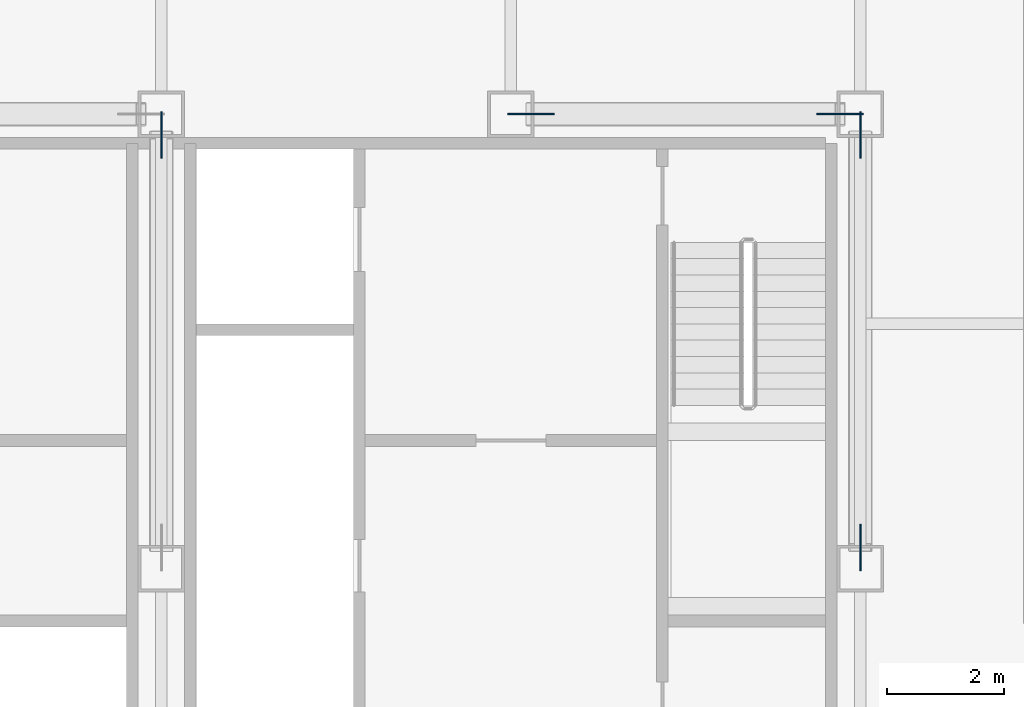
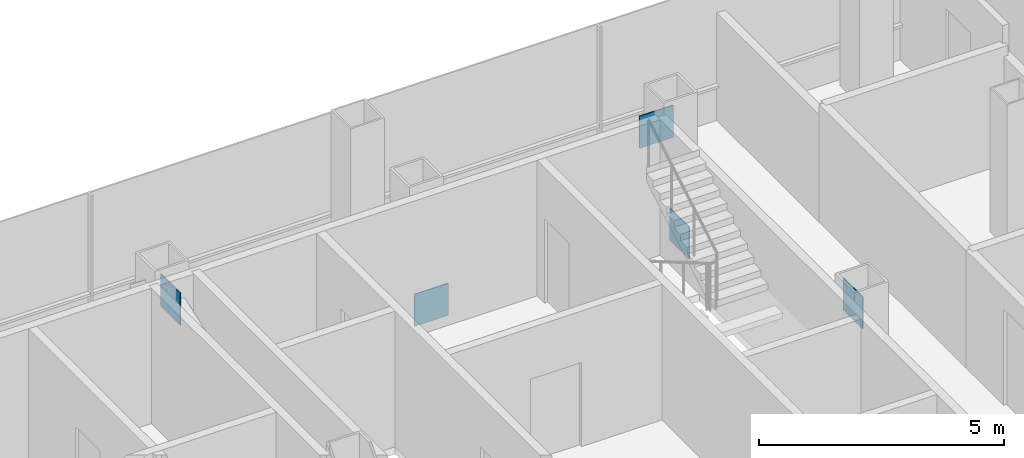
# One storey, part 24 of 26: 5 discrete accessories.
"""IFC4 building model written with IfcOpenShell, lengths in metres."""

from ifc_helpers import new_model, si_unit, direction, frame, origin, origin_2d, place, context, subcontext, project, spatial, rectangle, extrude, material, layer, layer_set, type_object, element, save


model = new_model("IFC4")

# Units and contexts
model_context = context("Model", 3, precision=1e-05, world=origin(), true_north=direction((0.0, 1.0)))
body_context = subcontext(model_context, "Body", "Model", "MODEL_VIEW")
ifc_project = project(units=[si_unit("LENGTHUNIT", "METRE"), si_unit("AREAUNIT", "SQUARE_METRE"), si_unit("VOLUMEUNIT", "CUBIC_METRE"), si_unit("PLANEANGLEUNIT", "RADIAN"), si_unit("MASSUNIT", "GRAM", prefix="KILO")], contexts=[model_context])

# Site, building, storey
site_placement = place(None, origin())
site = spatial("IfcSite", under=ifc_project, at=site_placement, CompositionType="ELEMENT")
building_placement = place(site_placement, origin())
building = spatial("IfcBuilding", under=site, at=building_placement, Name="Sorahane Residences", CompositionType="ELEMENT")
storey_placement = place(building_placement, frame((0.0, 0.0, 110.60009765625)))
storey = spatial("IfcBuildingStorey", under=building, at=storey_placement, Name="L24", CompositionType="ELEMENT", Elevation=110.60009765625)

# Discrete accessories
ifc_material = material(Name="Steel Q355B", Category="steel")
ifc_layer = layer(ifc_material, 0.02490234375)
ifc_layer_set = layer_set([ifc_layer], Name="Node plate Steel Q355B 25")
discrete_accessory_type = type_object("IfcDiscreteAccessoryType", Name="Node plate Steel Q355B 25", PredefinedType="BRACKET", material=ifc_layer_set)
for number, where, z_axis, x_axis, name in (
    (1, (30.0, 45.24072265625, 2.3447265625), (0.0, 0.0, 1.0), (0.0, 1.0, 0.0), "Node plate L24 br"),
    (2, (42.0, 45.24072265625, -0.21484375), (0.0, 0.0, 1.0), (0.0, 1.0, 0.0), "Node plate L24 br"),
    (3, (42.0, 38.1591796875, 2.3447265625), (0.0, 0.0, 1.0), (0.0, 1.0, 0.0), "Node plate L24 br"),
    (4, (36.347412109375, 45.60009765625, -0.2255859375), (0.0, 0.0, 1.0), (1.0, 0.0, 0.0), "Node plate L24 br"),
    (5, (41.652587890625, 45.60009765625, 2.35546875), (0.0, 0.0, 1.0), (1.0, 0.0, 0.0), "Node plate L24 br"),
):
    element("IfcDiscreteAccessory", number, at=place(storey_placement, frame(where, z_axis=z_axis, x_axis=x_axis)), inside=storey, type_object=discrete_accessory_type, Name=name, PredefinedType="BRACKET", context=body_context, shape_type="SweptSolid", body=[
        extrude(rectangle(XDim=0.800048828125, YDim=0.02490234375, at=origin_2d()), origin(), (0.0, 0.0, 1.0), 0.800048828125),
    ])

save(model, "model.ifc")
